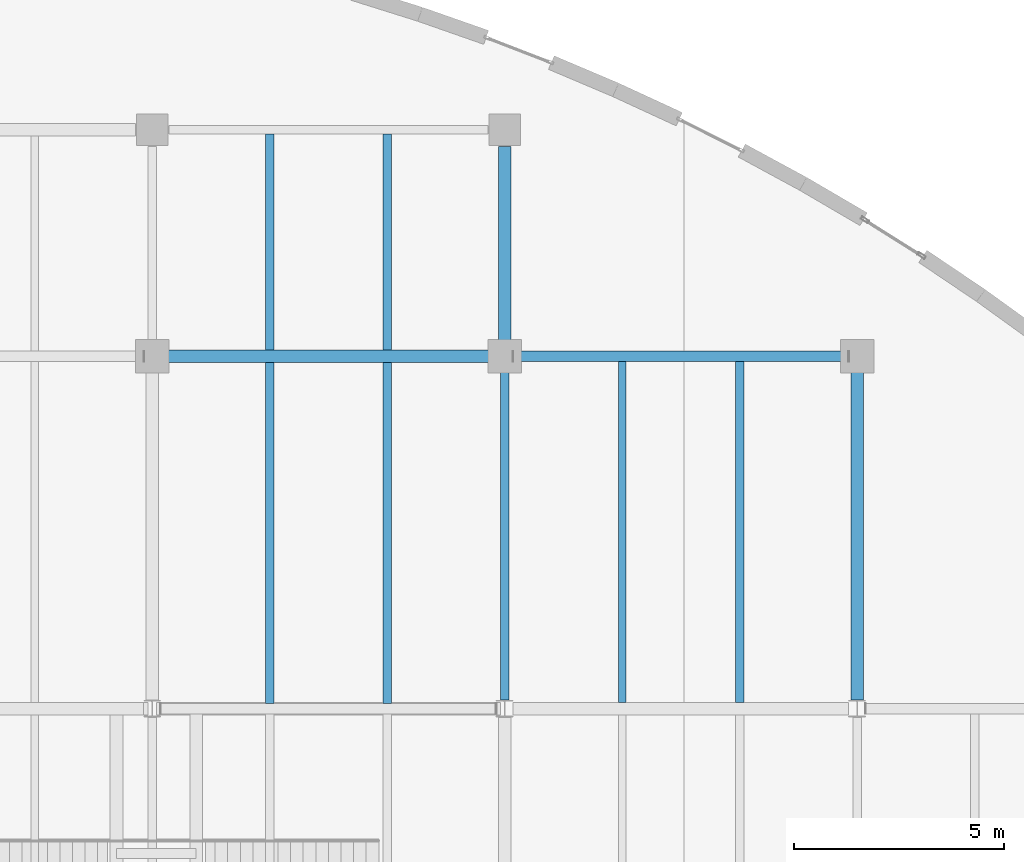
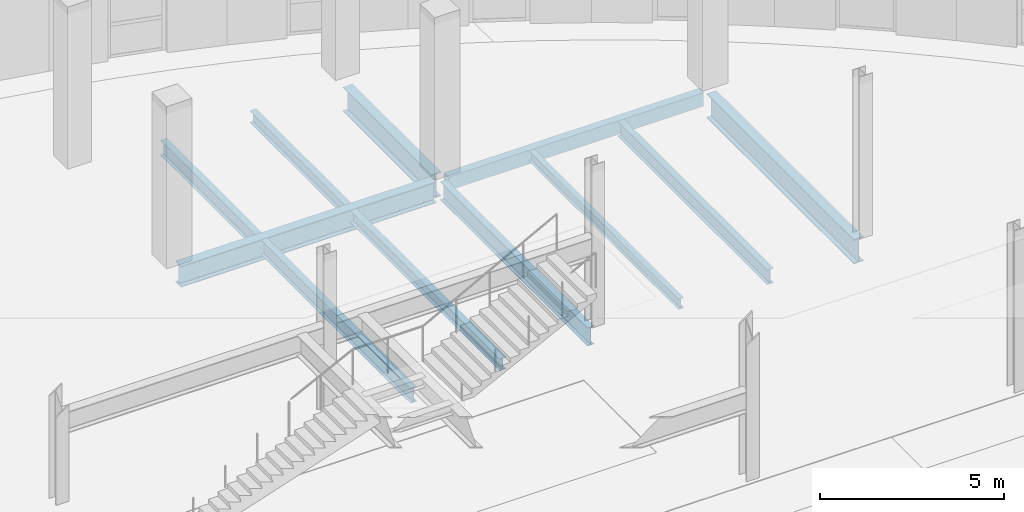
# One storey, part 52 of 110: 11 beams.
"""IFC4 building model written with IfcOpenShell, lengths in metres."""

import ifcopenshell
import ifcopenshell.guid

model = None  # the IFC model being written
_history = None  # IfcOwnerHistory: only IFC2X3 demands one
_inside = {}  # id of a spatial element -> (the spatial element, [elements in it])
_under = {}  # id of a project, library or spatial element -> (it, [spatial elements below it])
_declared = {}  # id of a project -> (the project, [libraries it declares])
_typed = {}  # id of a type object -> (the type object, [elements of that type])
_made_of = {}  # id of a material, layer set ... -> (it, [elements and type objects made of it])


def new_model(schema):
    """Start an empty IFC model of exactly this schema.

    Asked for "IFC4X3", IfcOpenShell would pick the latest addendum, in which some entities
    have other attributes; the version numbers below select the first issue.
    IFC2X3 requires an IfcOwnerHistory on every rooted entity: one is made here for all.
    """
    global model, _history
    if schema == "IFC4X3":
        model = ifcopenshell.file(schema_version=(4, 3, 0, 0))
    else:
        model = ifcopenshell.file(schema=schema)
    _inside.clear()
    _under.clear()
    _declared.clear()
    _typed.clear()
    _made_of.clear()
    _history = None
    if model.schema == "IFC2X3":
        org = make("IfcOrganization", Name="unknown")
        user = make(
            "IfcPersonAndOrganization",
            ThePerson=make("IfcPerson", FamilyName="unknown"),
            TheOrganization=org,
        )
        app = make(
            "IfcApplication",
            ApplicationDeveloper=org,
            Version="unknown",
            ApplicationFullName="unknown",
            ApplicationIdentifier="unknown",
        )
        _history = make(
            "IfcOwnerHistory",
            OwningUser=user,
            OwningApplication=app,
            ChangeAction="ADDED",
            CreationDate=0,
        )
    return model


def make(cls, **values):
    """One entity of the class cls with the attributes given. An attribute that is None is left unset."""
    return model.create_entity(
        cls, **{name: value for name, value in values.items() if value is not None}
    )


def rooted(cls, **values):
    """An entity with a GlobalId (a new one), such as an element, a storey or a relation."""
    return make(cls, GlobalId=ifcopenshell.guid.new(), OwnerHistory=_history, **values)


def si_unit(unit_type, name, prefix=None):
    """IfcSIUnit, for example si_unit("LENGTHUNIT", "METRE", prefix="MILLI")."""
    return make("IfcSIUnit", UnitType=unit_type, Prefix=prefix, Name=name)


def assignment(units):
    """IfcUnitAssignment: the units of a project."""
    return None if units is None else make("IfcUnitAssignment", Units=units)


def point(xyz):
    """IfcCartesianPoint."""
    return None if xyz is None else make("IfcCartesianPoint", Coordinates=xyz)


def direction(xyz):
    """IfcDirection."""
    return None if xyz is None else make("IfcDirection", DirectionRatios=xyz)


def frame(location, z_axis=None, x_axis=None):
    """IfcAxis2Placement3D, a coordinate frame: its origin and axes. An axis left out is left unset."""
    return make(
        "IfcAxis2Placement3D",
        Location=point(location),
        Axis=direction(z_axis),
        RefDirection=direction(x_axis),
    )


def frame_2d(location, x_axis=None):
    """IfcAxis2Placement2D, a coordinate frame in the plane: its origin and x axis."""
    return make(
        "IfcAxis2Placement2D", Location=point(location), RefDirection=direction(x_axis)
    )


def origin():
    """The frame at (0, 0, 0) with its axes left unset."""
    return frame((0.0, 0.0, 0.0))


def origin_2d():
    """The frame at (0, 0) in the plane with its x axis left unset."""
    return frame_2d((0.0, 0.0))


def place(relative_to, where):
    """IfcLocalPlacement: puts the frame where relative to a parent placement (None: the world)."""
    return make(
        "IfcLocalPlacement", PlacementRelTo=relative_to, RelativePlacement=where
    )


def context(
    kind, dimensions, precision=None, world=None, true_north=None, identifier=None
):
    """IfcGeometricRepresentationContext, for example the 3D "Model" context."""
    return make(
        "IfcGeometricRepresentationContext",
        ContextIdentifier=identifier,
        ContextType=kind,
        CoordinateSpaceDimension=dimensions,
        Precision=precision,
        WorldCoordinateSystem=world,
        TrueNorth=true_north,
    )


def subcontext(parent, identifier, kind, view, scale=None):
    """IfcGeometricRepresentationSubContext, for example "Body" below "Model"."""
    return make(
        "IfcGeometricRepresentationSubContext",
        ContextIdentifier=identifier,
        ContextType=kind,
        ParentContext=parent,
        TargetScale=scale,
        TargetView=view,
    )


def project(units=None, contexts=None):
    """IfcProject with its units and contexts."""
    return rooted(
        "IfcProject",
        Name="project",
        RepresentationContexts=contexts,
        UnitsInContext=assignment(units),
    )


def spatial(cls, under=None, at=None, **own):
    """A site, building, storey or space (cls), placed at a placement, below another one or the project."""
    s = rooted(cls, ObjectPlacement=at, **own)
    if under is not None:
        _under.setdefault(under.id(), (under, []))[1].append(s)
    return s


def profile(cls, at=None, kind="AREA", **sizes):
    """A parametric profile (cls). Its sizes go by their IFC names, for example OverallWidth=200.0."""
    return make(cls, ProfileType=kind, Position=at, **sizes)


def hollow_rectangle(**sizes):
    """IfcRectangleHollowProfileDef."""
    return profile("IfcRectangleHollowProfileDef", **sizes)


def i_section(**sizes):
    """IfcIShapeProfileDef."""
    return profile("IfcIShapeProfileDef", **sizes)


def extrude(swept, where, along, depth):
    """IfcExtrudedAreaSolid: the profile swept, set in the frame where, extruded along a direction by depth."""
    return make(
        "IfcExtrudedAreaSolid",
        SweptArea=swept,
        Position=where,
        ExtrudedDirection=direction(along),
        Depth=depth,
    )


def shape(context_of_items, identifier, shape_type, items):
    """IfcShapeRepresentation: the items that make up one representation, for example the "Body"."""
    return make(
        "IfcShapeRepresentation",
        ContextOfItems=context_of_items,
        RepresentationIdentifier=identifier,
        RepresentationType=shape_type,
        Items=items,
    )


def material(Name=None, Category=None):
    """IfcMaterial."""
    return make("IfcMaterial", Name=Name, Category=Category)


def material_profile(
    of_material, cross_section, Name=None, Category=None, Priority=None
):
    """IfcMaterialProfile: a cross section and its material."""
    return make(
        "IfcMaterialProfile",
        Name=Name,
        Material=of_material,
        Profile=cross_section,
        Priority=Priority,
        Category=Category,
    )


def profile_set(profiles, Name=None, composite=None):
    """IfcMaterialProfileSet."""
    return make(
        "IfcMaterialProfileSet",
        Name=Name,
        MaterialProfiles=profiles,
        CompositeProfile=composite,
    )


def made_of(thing, what):
    """Note that an element or type object is made of a material, layer set ...; save() writes the relation."""
    if what is not None:
        _made_of.setdefault(what.id(), (what, []))[1].append(thing)
    return thing


def type_object(cls, material=None, **own):
    """A type object (cls), such as IfcWallType, which elements share."""
    return made_of(rooted(cls, **own), material)


def element(
    cls,
    number,
    at=None,
    inside=None,
    cuts=None,
    type_object=None,
    material=None,
    context=None,
    identifier="Body",
    shape_type=None,
    held_by="IfcProductDefinitionShape",
    body=None,
    shapes=None,
    **own,
):
    """One element of the class cls, such as IfcWall. Its Tag is "e" and its number.

    at: its placement. inside: the storey or other place that contains it. cuts: it is an
    opening in that element (IfcRelVoidsElement). A single representation is given by context,
    identifier, shape_type and body (its items); several are given by shapes. held_by: the class
    of the entity that holds the representations. save() writes the other relations.
    """
    e = rooted(cls, Tag="e%d" % number, ObjectPlacement=at, **own)
    if body is not None:
        shapes = [shape(context, identifier, shape_type, body)]
    if shapes is not None:
        e.Representation = make(held_by, Representations=shapes)
    if inside is not None:
        _inside.setdefault(inside.id(), (inside, []))[1].append(e)
    if cuts is not None:
        rooted(
            "IfcRelVoidsElement", RelatingBuildingElement=cuts, RelatedOpeningElement=e
        )
    if type_object is not None:
        _typed.setdefault(type_object.id(), (type_object, []))[1].append(e)
    return made_of(e, material)


def aggregate(whole, parts):
    """IfcRelAggregates: a whole, such as a stair, and the parts it consists of."""
    return rooted("IfcRelAggregates", RelatingObject=whole, RelatedObjects=parts)


def save(model, path):
    """Write the relations noted so far, then the file.

    IfcRelAggregates (storeys below a building ...), IfcRelContainedInSpatialStructure (elements
    in a storey), IfcRelDefinesByType, IfcRelAssociatesMaterial and IfcRelDeclares: one each for
    every whole, place, type object, material and project.
    """
    for whole, parts in _under.values():
        aggregate(whole, parts)
    for where, things in _inside.values():
        rooted(
            "IfcRelContainedInSpatialStructure",
            RelatedElements=things,
            RelatingStructure=where,
        )
    for kind, things in _typed.values():
        rooted("IfcRelDefinesByType", RelatedObjects=things, RelatingType=kind)
    for what, things in _made_of.values():
        rooted("IfcRelAssociatesMaterial", RelatedObjects=things, RelatingMaterial=what)
    for by, libraries in _declared.values():
        rooted("IfcRelDeclares", RelatingContext=by, RelatedDefinitions=libraries)
    model.write(path)


model = new_model("IFC4")

# Units and contexts
model_context = context("Model", 3, precision=1e-05, world=origin(), true_north=direction((0.0, 1.0)))
body_context = subcontext(model_context, "Body", "Model", "MODEL_VIEW")
ifc_project = project(units=[si_unit("LENGTHUNIT", "METRE"), si_unit("AREAUNIT", "SQUARE_METRE"), si_unit("VOLUMEUNIT", "CUBIC_METRE"), si_unit("PLANEANGLEUNIT", "RADIAN"), si_unit("MASSUNIT", "GRAM", prefix="KILO"), si_unit("THERMODYNAMICTEMPERATUREUNIT", "KELVIN")], contexts=[model_context])

# Site, building, storey
site_placement = place(None, origin())
site = spatial("IfcSite", under=ifc_project, at=site_placement, CompositionType="ELEMENT")
building_placement = place(site_placement, origin())
building = spatial("IfcBuilding", under=site, at=building_placement, Name="Lustrewick Department Store", CompositionType="ELEMENT")
storey_placement = place(building_placement, frame((0.0, 0.0, 6.0)))
storey = spatial("IfcBuildingStorey", under=building, at=storey_placement, Name="L02", CompositionType="ELEMENT", Elevation=6.0)

# Beams
ifc_material_1 = material(Name="Structural steel Q355B", Category="steel")
ifc_material_profile_1 = material_profile(ifc_material_1, i_section(OverallWidth=0.199951171875, OverallDepth=0.5, WebThickness=0.010009765625, FlangeThickness=0.01611328125, FilletRadius=0.01611328125, at=origin_2d()), Name="HN 500x200x10x16")
ifc_profile_set_1 = profile_set([ifc_material_profile_1], Name="Structural steel Q355B")
beam_type_1 = type_object("IfcBeamType", Name="B01", PredefinedType="JOIST", material=ifc_profile_set_1)
beam_1_placement = place(storey_placement, frame((140.0, 92.550048828125, -0.5048828125), z_axis=(0.0, 1.0, 0.0), x_axis=(-1.0, 0.0, 0.0)))
element("IfcBeam", 1, at=beam_1_placement, inside=storey, type_object=beam_type_1, Name="L02 V4 Secondary Joist B01", PredefinedType="JOIST", context=body_context, shape_type="SweptSolid", body=[
    extrude(i_section(OverallWidth=0.199951171875, OverallDepth=0.5, WebThickness=0.010009765625, FlangeThickness=0.01611328125, FilletRadius=0.01611328125, at=origin_2d()), origin(), (0.0, 0.0, 1.0), 8.125),
])
ifc_material_profile_2 = material_profile(ifc_material_1, i_section(OverallWidth=0.198974609375, OverallDepth=0.49609375, WebThickness=0.009033203125, FlangeThickness=0.013916015625, FilletRadius=0.01611328125, at=origin_2d()), Name="HN 496x199x9x14")
ifc_profile_set_2 = profile_set([ifc_material_profile_2], Name="Structural steel Q355B")
beam_type_2 = type_object("IfcBeamType", Name="B02", PredefinedType="JOIST", material=ifc_profile_set_2)
beam_2_placement = place(storey_placement, frame((128.800048828125, 92.52490234375, -0.5029296875), z_axis=(0.0, 1.0, 0.0), x_axis=(-1.0, 0.0, 0.0)))
element("IfcBeam", 2, at=beam_2_placement, inside=storey, type_object=beam_type_2, Name="L02 V4 Secondary Joist B02", PredefinedType="JOIST", context=body_context, shape_type="SweptSolid", body=[
    extrude(i_section(OverallWidth=0.198974609375, OverallDepth=0.49609375, WebThickness=0.009033203125, FlangeThickness=0.013916015625, FilletRadius=0.01611328125, at=origin_2d()), origin(), (0.0, 0.0, 1.0), 8.125),
])
beam_3_placement = place(storey_placement, frame((128.800048828125, 100.949951171875, -0.5029296875), z_axis=(0.0, 1.0, 0.0), x_axis=(-1.0, 0.0, 0.0)))
element("IfcBeam", 3, at=beam_3_placement, inside=storey, type_object=beam_type_2, Name="L02 V4 Secondary Joist B02", PredefinedType="JOIST", context=body_context, shape_type="SweptSolid", body=[
    extrude(i_section(OverallWidth=0.198974609375, OverallDepth=0.49609375, WebThickness=0.009033203125, FlangeThickness=0.013916015625, FilletRadius=0.01611328125, at=origin_2d()), origin(), (0.0, 0.0, 1.0), 5.149658203125),
])
ifc_material_profile_3 = material_profile(ifc_material_1, i_section(OverallWidth=0.198974609375, OverallDepth=0.39599609375, WebThickness=0.007080078125, FlangeThickness=0.010986328125, FilletRadius=0.013916015625, at=origin_2d()), Name="HN 396x199x7x11")
ifc_profile_set_3 = profile_set([ifc_material_profile_3], Name="Structural steel Q355B")
beam_type_3 = type_object("IfcBeamType", Name="B06", PredefinedType="JOIST", material=ifc_profile_set_3)
beam_4_placement = place(storey_placement, frame((131.60009765625, 92.52490234375, -0.452880859375), z_axis=(0.0, 1.0, 0.0), x_axis=(-1.0, 0.0, 0.0)))
element("IfcBeam", 4, at=beam_4_placement, inside=storey, type_object=beam_type_3, Name="L02 V4 Secondary Joist B06", PredefinedType="JOIST", context=body_context, shape_type="SweptSolid", body=[
    extrude(i_section(OverallWidth=0.198974609375, OverallDepth=0.39599609375, WebThickness=0.007080078125, FlangeThickness=0.010986328125, FilletRadius=0.013916015625, at=origin_2d()), origin(), (0.0, 0.0, 1.0), 8.125),
])
beam_5_placement = place(storey_placement, frame((131.60009765625, 100.949951171875, -0.452880859375), z_axis=(0.0, 1.0, 0.0), x_axis=(-1.0, 0.0, 0.0)))
element("IfcBeam", 5, at=beam_5_placement, inside=storey, type_object=beam_type_3, Name="L02 V4 Secondary Joist B06", PredefinedType="JOIST", context=body_context, shape_type="SweptSolid", body=[
    extrude(i_section(OverallWidth=0.198974609375, OverallDepth=0.39599609375, WebThickness=0.007080078125, FlangeThickness=0.010986328125, FilletRadius=0.013916015625, at=origin_2d()), origin(), (0.0, 0.0, 1.0), 5.149658203125),
])
ifc_material_profile_4 = material_profile(ifc_material_1, i_section(OverallWidth=0.174072265625, OverallDepth=0.345947265625, WebThickness=0.006103515625, FlangeThickness=0.009033203125, FilletRadius=0.012939453125, at=origin_2d()), Name="HN 346x174x6x9")
ifc_profile_set_4 = profile_set([ifc_material_profile_4], Name="Structural steel Q355B")
beam_type_4 = type_object("IfcBeamType", Name="B10", PredefinedType="JOIST", material=ifc_profile_set_4)
beam_6_placement = place(storey_placement, frame((137.199951171875, 92.550048828125, -0.427978515625), z_axis=(0.0, 1.0, 0.0), x_axis=(-1.0, 0.0, 0.0)))
element("IfcBeam", 6, at=beam_6_placement, inside=storey, type_object=beam_type_4, Name="L02 V4 Secondary Joist B10", PredefinedType="JOIST", context=body_context, shape_type="SweptSolid", body=[
    extrude(i_section(OverallWidth=0.174072265625, OverallDepth=0.345947265625, WebThickness=0.006103515625, FlangeThickness=0.009033203125, FilletRadius=0.012939453125, at=origin_2d()), origin(), (0.0, 0.0, 1.0), 8.125),
])
ifc_material_2 = material(Name="Structural steel Q355C", Category="steel")
ifc_material_profile_5 = material_profile(ifc_material_2, i_section(OverallWidth=0.302001953125, OverallDepth=0.80810546875, WebThickness=0.01611328125, FlangeThickness=0.030029296875, FilletRadius=0.02197265625, at=origin_2d()), Name="HN 808x302x16x30")
ifc_profile_set_5 = profile_set([ifc_material_profile_5], Name="Structural steel Q355C")
beam_type_5 = type_object("IfcBeamType", Name="G04", PredefinedType="BEAM", material=ifc_profile_set_5)
beam_7_placement = place(storey_placement, frame((134.39990234375, 101.0, -0.658935546875), z_axis=(0.0, 1.0, 0.0), x_axis=(-1.0, 0.0, 0.0)))
element("IfcBeam", 7, at=beam_7_placement, inside=storey, type_object=beam_type_5, Name="L02 V4 Girder G04", PredefinedType="BEAM", context=body_context, shape_type="SweptSolid", body=[
    extrude(i_section(OverallWidth=0.302001953125, OverallDepth=0.80810546875, WebThickness=0.01611328125, FlangeThickness=0.030029296875, FilletRadius=0.02197265625, at=origin_2d()), origin(), (0.0, 0.0, 1.0), 4.800048828125),
])
beam_8_placement = place(storey_placement, frame((142.800048828125, 92.60693359375, -0.658935546875), z_axis=(0.0, 1.0, 0.0), x_axis=(-1.0, 0.0, 0.0)))
element("IfcBeam", 8, at=beam_8_placement, inside=storey, type_object=beam_type_5, Name="L02 V4 Girder G04", PredefinedType="BEAM", context=body_context, shape_type="SweptSolid", body=[
    extrude(i_section(OverallWidth=0.302001953125, OverallDepth=0.80810546875, WebThickness=0.01611328125, FlangeThickness=0.030029296875, FilletRadius=0.02197265625, at=origin_2d()), origin(), (0.0, 0.0, 1.0), 7.9931640625),
])
ifc_material_profile_6 = material_profile(ifc_material_1, i_section(OverallWidth=0.300048828125, OverallDepth=0.699951171875, WebThickness=0.012939453125, FlangeThickness=0.02392578125, FilletRadius=0.02001953125, at=origin_2d()), Name="HN 700x300x13x24")
ifc_profile_set_6 = profile_set([ifc_material_profile_6], Name="Structural steel Q355B")
beam_type_6 = type_object("IfcBeamType", Name="G08", PredefinedType="BEAM", material=ifc_profile_set_6)
beam_9_placement = place(storey_placement, frame((126.199951171875, 100.800048828125, -0.60498046875), z_axis=(1.0, 0.0, 0.0), x_axis=(0.0, 1.0, 0.0)))
element("IfcBeam", 9, at=beam_9_placement, inside=storey, type_object=beam_type_6, Name="L02 V4 Girder G08", PredefinedType="BEAM", context=body_context, shape_type="SweptSolid", body=[
    extrude(i_section(OverallWidth=0.300048828125, OverallDepth=0.699951171875, WebThickness=0.012939453125, FlangeThickness=0.02392578125, FilletRadius=0.02001953125, at=origin_2d()), origin(), (0.0, 0.0, 1.0), 8.0),
])
ifc_material_profile_7 = material_profile(ifc_material_1, i_section(OverallWidth=0.200927734375, OverallDepth=0.60595703125, WebThickness=0.011962890625, FlangeThickness=0.02001953125, FilletRadius=0.01806640625, at=origin_2d()), Name="HN 606x201x12x20")
ifc_profile_set_7 = profile_set([ifc_material_profile_7], Name="Structural steel Q355B")
beam_type_7 = type_object("IfcBeamType", Name="G13", PredefinedType="BEAM", material=ifc_profile_set_7)
beam_10_placement = place(storey_placement, frame((134.39990234375, 92.60693359375, -0.55810546875), z_axis=(0.0, 1.0, 0.0), x_axis=(-1.0, 0.0, 0.0)))
element("IfcBeam", 10, at=beam_10_placement, inside=storey, type_object=beam_type_7, Name="L02 V4 Girder G13", PredefinedType="BEAM", context=body_context, shape_type="SweptSolid", body=[
    extrude(i_section(OverallWidth=0.200927734375, OverallDepth=0.60595703125, WebThickness=0.011962890625, FlangeThickness=0.02001953125, FilletRadius=0.01806640625, at=origin_2d()), origin(), (0.0, 0.0, 1.0), 7.9931640625),
])
ifc_material_profile_8 = material_profile(ifc_material_2, hollow_rectangle(XDim=0.25, YDim=0.449951171875, WallThickness=0.013916015625, at=origin_2d()), Name="RHS 450x250x14")
ifc_profile_set_8 = profile_set([ifc_material_profile_8], Name="Structural steel Q355C")
beam_type_8 = type_object("IfcBeamType", Name="G18", PredefinedType="BEAM", material=ifc_profile_set_8)
beam_11_placement = place(storey_placement, frame((134.60009765625, 100.800048828125, -0.47998046875), z_axis=(1.0, 0.0, 0.0), x_axis=(0.0, 1.0, 0.0)))
element("IfcBeam", 11, at=beam_11_placement, inside=storey, type_object=beam_type_8, Name="L02 V4 Girder G18", PredefinedType="BEAM", context=body_context, shape_type="SweptSolid", body=[
    extrude(hollow_rectangle(XDim=0.25, YDim=0.449951171875, WallThickness=0.013916015625, at=origin_2d()), origin(), (0.0, 0.0, 1.0), 8.0),
])

save(model, "model.ifc")
